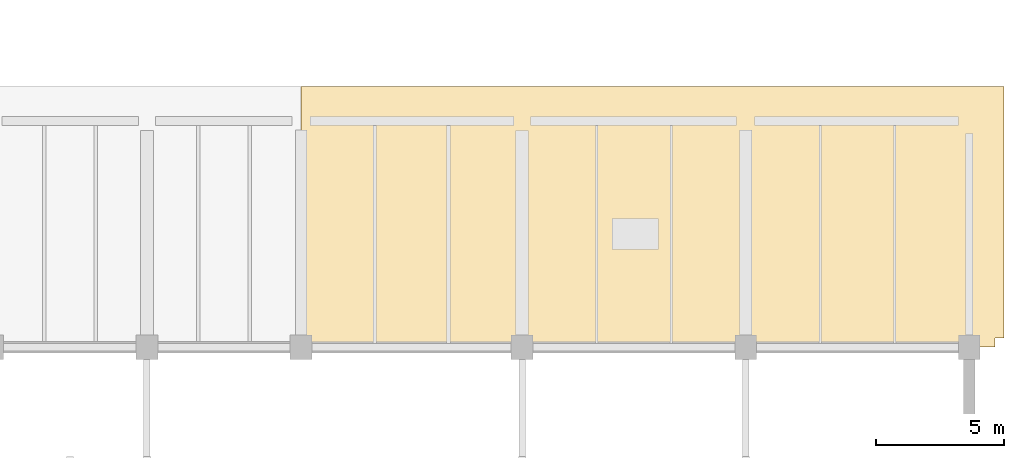
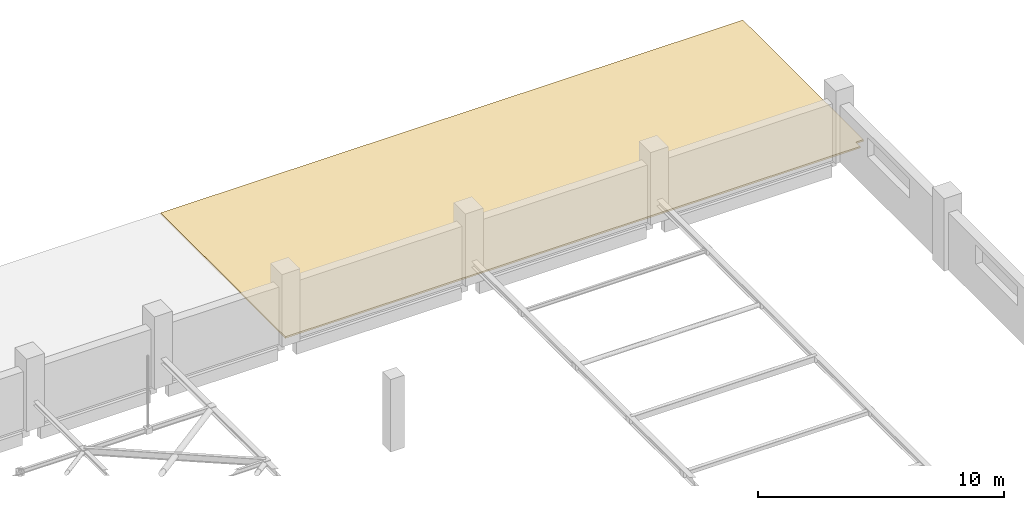
# One storey, part 93 of 93: 1 covering.
"""IFC4 building model written with IfcOpenShell, lengths in metres."""

from ifc_helpers import new_model, si_unit, direction, frame, origin, place, context, subcontext, project, spatial, polyline, outline, extrude, material, layer, layer_set, type_object, element, save


model = new_model("IFC4")

# Units and contexts
model_context = context("Model", 3, precision=1e-05, world=origin(), true_north=direction((0.0, 1.0)))
body_context = subcontext(model_context, "Body", "Model", "MODEL_VIEW")
ifc_project = project(units=[si_unit("LENGTHUNIT", "METRE"), si_unit("AREAUNIT", "SQUARE_METRE"), si_unit("VOLUMEUNIT", "CUBIC_METRE"), si_unit("PLANEANGLEUNIT", "RADIAN"), si_unit("MASSUNIT", "GRAM", prefix="KILO")], contexts=[model_context])

# Site, building, storey
site_placement = place(None, origin())
site = spatial("IfcSite", under=ifc_project, at=site_placement, CompositionType="ELEMENT")
building_placement = place(site_placement, origin())
building = spatial("IfcBuilding", under=site, at=building_placement, Name="Varnakota Cinema and Media Centre", CompositionType="ELEMENT")
storey_placement = place(building_placement, frame((0.0, 0.0, 12.0)))
storey = spatial("IfcBuildingStorey", under=building, at=storey_placement, Name="L03", CompositionType="ELEMENT", Elevation=12.0)

# Covering
ifc_material = material(Name="Pale Tandur limestone cool roof", Category="masonry")
ifc_layer = layer(ifc_material, 0.080078125)
ifc_layer_set = layer_set([ifc_layer], Name="Pale Tandur limestone cool roof")
covering_type = type_object("IfcCoveringType", Name="COV-COOLROOF-80", PredefinedType="ROOFING", material=ifc_layer_set)
covering_placement = place(storey_placement, origin())
element("IfcCovering", 1, at=covering_placement, inside=storey, type_object=covering_type, Name="L03 cool roof membrane ROOF-V2-GAL", PredefinedType="ROOFING", context=body_context, shape_type="SweptSolid", body=[
    extrude(outline(polyline([(135.0, 35.199951171875), (162.0, 35.199951171875), (162.0, 35.550048828125), (162.35009765625, 35.550048828125), (162.35009765625, 45.35009765625), (135.0, 45.35009765625), (135.0, 35.199951171875)])), origin(), (0.0, 0.0, 1.0), 0.080078125),
])

save(model, "model.ifc")
